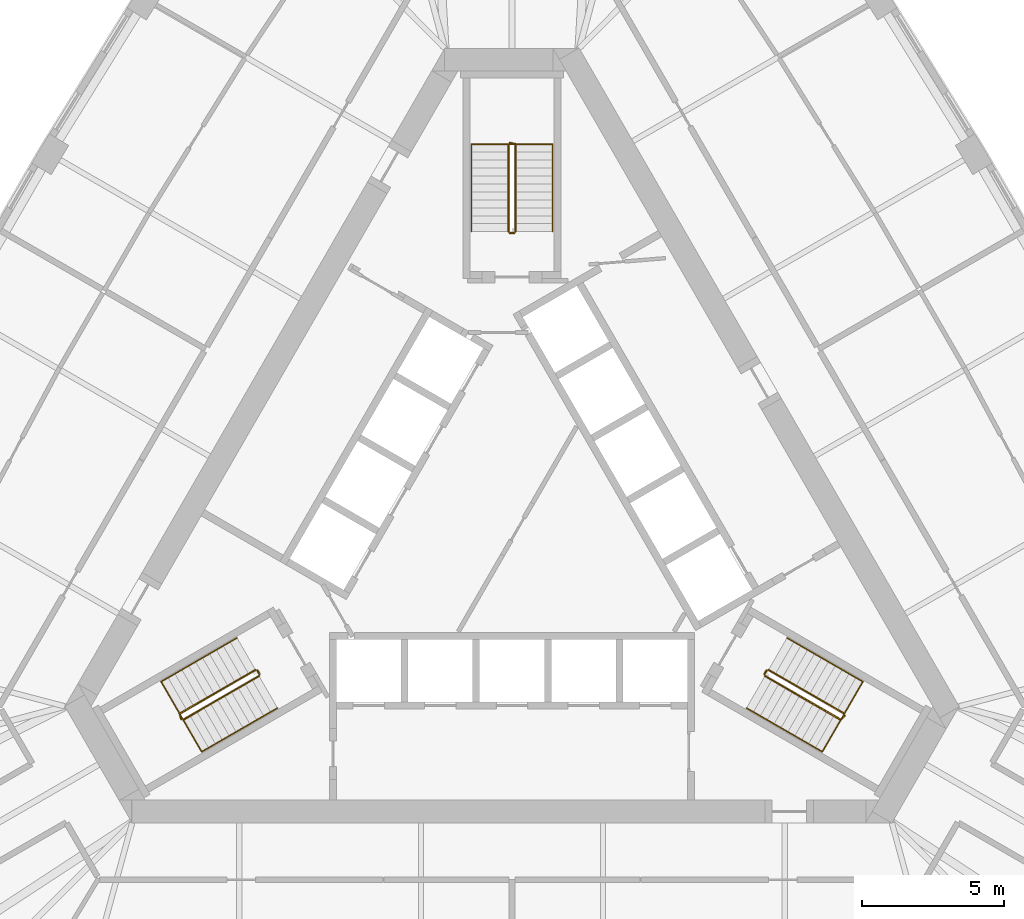
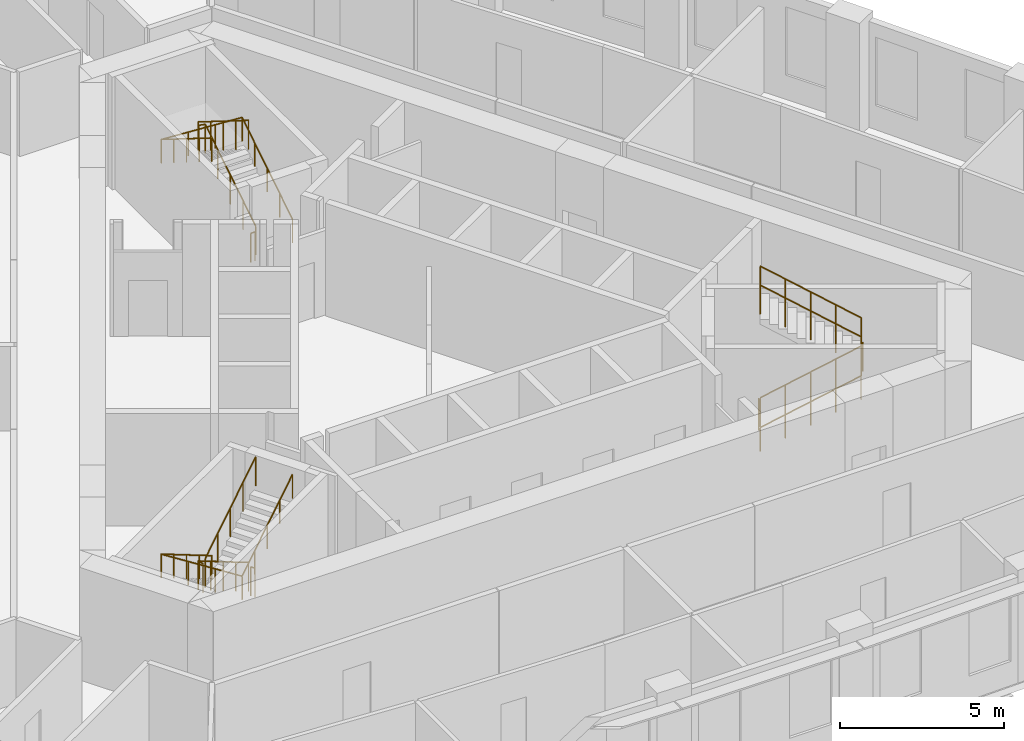
# One storey, part 10 of 10: 12 railings.
"""IFC4 building model written with IfcOpenShell, lengths in metres."""

import ifcopenshell
import ifcopenshell.guid

model = None  # the IFC model being written
_history = None  # IfcOwnerHistory: only IFC2X3 demands one
_inside = {}  # id of a spatial element -> (the spatial element, [elements in it])
_under = {}  # id of a project, library or spatial element -> (it, [spatial elements below it])
_declared = {}  # id of a project -> (the project, [libraries it declares])
_typed = {}  # id of a type object -> (the type object, [elements of that type])
_made_of = {}  # id of a material, layer set ... -> (it, [elements and type objects made of it])


def new_model(schema):
    """Start an empty IFC model of exactly this schema.

    Asked for "IFC4X3", IfcOpenShell would pick the latest addendum, in which some entities
    have other attributes; the version numbers below select the first issue.
    IFC2X3 requires an IfcOwnerHistory on every rooted entity: one is made here for all.
    """
    global model, _history
    if schema == "IFC4X3":
        model = ifcopenshell.file(schema_version=(4, 3, 0, 0))
    else:
        model = ifcopenshell.file(schema=schema)
    _inside.clear()
    _under.clear()
    _declared.clear()
    _typed.clear()
    _made_of.clear()
    _history = None
    if model.schema == "IFC2X3":
        org = make("IfcOrganization", Name="unknown")
        user = make(
            "IfcPersonAndOrganization",
            ThePerson=make("IfcPerson", FamilyName="unknown"),
            TheOrganization=org,
        )
        app = make(
            "IfcApplication",
            ApplicationDeveloper=org,
            Version="unknown",
            ApplicationFullName="unknown",
            ApplicationIdentifier="unknown",
        )
        _history = make(
            "IfcOwnerHistory",
            OwningUser=user,
            OwningApplication=app,
            ChangeAction="ADDED",
            CreationDate=0,
        )
    return model


def make(cls, **values):
    """One entity of the class cls with the attributes given. An attribute that is None is left unset."""
    return model.create_entity(
        cls, **{name: value for name, value in values.items() if value is not None}
    )


def rooted(cls, **values):
    """An entity with a GlobalId (a new one), such as an element, a storey or a relation."""
    return make(cls, GlobalId=ifcopenshell.guid.new(), OwnerHistory=_history, **values)


def si_unit(unit_type, name, prefix=None):
    """IfcSIUnit, for example si_unit("LENGTHUNIT", "METRE", prefix="MILLI")."""
    return make("IfcSIUnit", UnitType=unit_type, Prefix=prefix, Name=name)


def assignment(units):
    """IfcUnitAssignment: the units of a project."""
    return None if units is None else make("IfcUnitAssignment", Units=units)


def point(xyz):
    """IfcCartesianPoint."""
    return None if xyz is None else make("IfcCartesianPoint", Coordinates=xyz)


def direction(xyz):
    """IfcDirection."""
    return None if xyz is None else make("IfcDirection", DirectionRatios=xyz)


def frame(location, z_axis=None, x_axis=None):
    """IfcAxis2Placement3D, a coordinate frame: its origin and axes. An axis left out is left unset."""
    return make(
        "IfcAxis2Placement3D",
        Location=point(location),
        Axis=direction(z_axis),
        RefDirection=direction(x_axis),
    )


def frame_2d(location, x_axis=None):
    """IfcAxis2Placement2D, a coordinate frame in the plane: its origin and x axis."""
    return make(
        "IfcAxis2Placement2D", Location=point(location), RefDirection=direction(x_axis)
    )


def origin():
    """The frame at (0, 0, 0) with its axes left unset."""
    return frame((0.0, 0.0, 0.0))


def origin_2d():
    """The frame at (0, 0) in the plane with its x axis left unset."""
    return frame_2d((0.0, 0.0))


def place(relative_to, where):
    """IfcLocalPlacement: puts the frame where relative to a parent placement (None: the world)."""
    return make(
        "IfcLocalPlacement", PlacementRelTo=relative_to, RelativePlacement=where
    )


def context(
    kind, dimensions, precision=None, world=None, true_north=None, identifier=None
):
    """IfcGeometricRepresentationContext, for example the 3D "Model" context."""
    return make(
        "IfcGeometricRepresentationContext",
        ContextIdentifier=identifier,
        ContextType=kind,
        CoordinateSpaceDimension=dimensions,
        Precision=precision,
        WorldCoordinateSystem=world,
        TrueNorth=true_north,
    )


def subcontext(parent, identifier, kind, view, scale=None):
    """IfcGeometricRepresentationSubContext, for example "Body" below "Model"."""
    return make(
        "IfcGeometricRepresentationSubContext",
        ContextIdentifier=identifier,
        ContextType=kind,
        ParentContext=parent,
        TargetScale=scale,
        TargetView=view,
    )


def project(units=None, contexts=None):
    """IfcProject with its units and contexts."""
    return rooted(
        "IfcProject",
        Name="project",
        RepresentationContexts=contexts,
        UnitsInContext=assignment(units),
    )


def spatial(cls, under=None, at=None, **own):
    """A site, building, storey or space (cls), placed at a placement, below another one or the project."""
    s = rooted(cls, ObjectPlacement=at, **own)
    if under is not None:
        _under.setdefault(under.id(), (under, []))[1].append(s)
    return s


def profile(cls, at=None, kind="AREA", **sizes):
    """A parametric profile (cls). Its sizes go by their IFC names, for example OverallWidth=200.0."""
    return make(cls, ProfileType=kind, Position=at, **sizes)


def circle(**sizes):
    """IfcCircleProfileDef."""
    return profile("IfcCircleProfileDef", **sizes)


def extrude(swept, where, along, depth):
    """IfcExtrudedAreaSolid: the profile swept, set in the frame where, extruded along a direction by depth."""
    return make(
        "IfcExtrudedAreaSolid",
        SweptArea=swept,
        Position=where,
        ExtrudedDirection=direction(along),
        Depth=depth,
    )


def shape(context_of_items, identifier, shape_type, items):
    """IfcShapeRepresentation: the items that make up one representation, for example the "Body"."""
    return make(
        "IfcShapeRepresentation",
        ContextOfItems=context_of_items,
        RepresentationIdentifier=identifier,
        RepresentationType=shape_type,
        Items=items,
    )


def material(Name=None, Category=None):
    """IfcMaterial."""
    return make("IfcMaterial", Name=Name, Category=Category)


def made_of(thing, what):
    """Note that an element or type object is made of a material, layer set ...; save() writes the relation."""
    if what is not None:
        _made_of.setdefault(what.id(), (what, []))[1].append(thing)
    return thing


def type_object(cls, material=None, **own):
    """A type object (cls), such as IfcWallType, which elements share."""
    return made_of(rooted(cls, **own), material)


def element(
    cls,
    number,
    at=None,
    inside=None,
    cuts=None,
    type_object=None,
    material=None,
    context=None,
    identifier="Body",
    shape_type=None,
    held_by="IfcProductDefinitionShape",
    body=None,
    shapes=None,
    **own,
):
    """One element of the class cls, such as IfcWall. Its Tag is "e" and its number.

    at: its placement. inside: the storey or other place that contains it. cuts: it is an
    opening in that element (IfcRelVoidsElement). A single representation is given by context,
    identifier, shape_type and body (its items); several are given by shapes. held_by: the class
    of the entity that holds the representations. save() writes the other relations.
    """
    e = rooted(cls, Tag="e%d" % number, ObjectPlacement=at, **own)
    if body is not None:
        shapes = [shape(context, identifier, shape_type, body)]
    if shapes is not None:
        e.Representation = make(held_by, Representations=shapes)
    if inside is not None:
        _inside.setdefault(inside.id(), (inside, []))[1].append(e)
    if cuts is not None:
        rooted(
            "IfcRelVoidsElement", RelatingBuildingElement=cuts, RelatedOpeningElement=e
        )
    if type_object is not None:
        _typed.setdefault(type_object.id(), (type_object, []))[1].append(e)
    return made_of(e, material)


def aggregate(whole, parts):
    """IfcRelAggregates: a whole, such as a stair, and the parts it consists of."""
    return rooted("IfcRelAggregates", RelatingObject=whole, RelatedObjects=parts)


def save(model, path):
    """Write the relations noted so far, then the file.

    IfcRelAggregates (storeys below a building ...), IfcRelContainedInSpatialStructure (elements
    in a storey), IfcRelDefinesByType, IfcRelAssociatesMaterial and IfcRelDeclares: one each for
    every whole, place, type object, material and project.
    """
    for whole, parts in _under.values():
        aggregate(whole, parts)
    for where, things in _inside.values():
        rooted(
            "IfcRelContainedInSpatialStructure",
            RelatedElements=things,
            RelatingStructure=where,
        )
    for kind, things in _typed.values():
        rooted("IfcRelDefinesByType", RelatedObjects=things, RelatingType=kind)
    for what, things in _made_of.values():
        rooted("IfcRelAssociatesMaterial", RelatedObjects=things, RelatingMaterial=what)
    for by, libraries in _declared.values():
        rooted("IfcRelDeclares", RelatingContext=by, RelatedDefinitions=libraries)
    model.write(path)


model = new_model("IFC4")

# Units and contexts
model_context = context("Model", 3, precision=1e-05, world=origin(), true_north=direction((0.0, 1.0)))
body_context = subcontext(model_context, "Body", "Model", "MODEL_VIEW")
ifc_project = project(units=[si_unit("LENGTHUNIT", "METRE"), si_unit("AREAUNIT", "SQUARE_METRE"), si_unit("VOLUMEUNIT", "CUBIC_METRE"), si_unit("PLANEANGLEUNIT", "RADIAN"), si_unit("MASSUNIT", "GRAM", prefix="KILO")], contexts=[model_context])

# Site, building, storey
site_placement = place(None, origin())
site = spatial("IfcSite", under=ifc_project, at=site_placement, CompositionType="ELEMENT")
building_placement = place(site_placement, origin())
building = spatial("IfcBuilding", under=site, at=building_placement, Name="Mestral Congress Tower", CompositionType="ELEMENT")
storey_placement = place(building_placement, frame((0.0, 0.0, 154.199951171875)))
storey = spatial("IfcBuildingStorey", under=building, at=storey_placement, Name="L36", CompositionType="ELEMENT", Elevation=154.199951171875)

# Railings
ifc_material_1 = material(Name="Steel balustrade", Category="steel")
railing_type_1 = type_object("IfcRailingType", Name="Stair guard 1100", PredefinedType="GUARDRAIL", material=ifc_material_1)
railing_1_placement = place(storey_placement, frame((8.90087890625, -5.283203125, 0.175048828125)))
element("IfcRailing", 1, at=railing_1_placement, inside=storey, type_object=railing_type_1, Name="L36 ST1 stair guard 1", PredefinedType="GUARDRAIL", context=body_context, shape_type="SweptSolid", body=[
    extrude(circle(Radius=0.02392578125, at=origin_2d()), frame((0.0, 0.0, 1.076171875), z_axis=(0.734364028329, -0.424015404183, 0.530019255228), x_axis=(0.500026652407, 0.866010015463, 0.0)), (0.0, 0.0, 1.0), 3.632080078125),
    extrude(circle(Radius=0.02392578125, at=origin_2d()), frame((2.667236328125, -1.5400390625, 3.0009765625), z_axis=(0.695164929852, 0.718850276695, 0.0), x_axis=(-0.718850276695, 0.695164929852, 0.0)), (0.0, 0.0, 1.0), 0.2060546875),
    extrude(circle(Radius=0.02099609375, at=origin_2d()), origin(), (0.0, 0.0, 1.0), 1.052001953125),
    extrude(circle(Radius=0.02099609375, at=origin_2d()), frame((0.666748046875, -0.385009765625, 0.481201171875)), (0.0, 0.0, 1.0), 1.052001953125),
    extrude(circle(Radius=0.02099609375, at=origin_2d()), frame((1.33349609375, -0.77001953125, 0.96240234375)), (0.0, 0.0, 1.0), 1.052001953125),
    extrude(circle(Radius=0.02099609375, at=origin_2d()), frame((2.00048828125, -1.155029296875, 1.44384765625)), (0.0, 0.0, 1.0), 1.052001953125),
    extrude(circle(Radius=0.02099609375, at=origin_2d()), frame((2.667236328125, -1.5400390625, 1.925048828125)), (0.0, 0.0, 1.0), 1.052001953125),
    extrude(circle(Radius=0.02099609375, at=origin_2d()), frame((2.810546875, -1.391845703125, 1.925048828125)), (0.0, 0.0, 1.0), 1.052001953125),
])
railing_2_placement = place(storey_placement, frame((11.693115234375, -6.606689453125, 2.275146484375)))
element("IfcRailing", 2, at=railing_2_placement, inside=storey, type_object=railing_type_1, Name="L36 ST1 stair guard 2", PredefinedType="GUARDRAIL", context=body_context, shape_type="SweptSolid", body=[
    extrude(circle(Radius=0.02392578125, at=origin_2d()), frame((0.0, 0.0, 1.076171875), z_axis=(-0.734390191396, 0.42403051051, 0.529970917068), x_axis=(-0.500026652407, -0.866010015463, 0.0)), (0.0, 0.0, 1.0), 3.6318359375),
    extrude(circle(Radius=0.02099609375, at=origin_2d()), origin(), (0.0, 0.0, 1.0), 1.052001953125),
    extrude(circle(Radius=0.02099609375, at=origin_2d()), frame((-0.666748046875, 0.385009765625, 0.481201171875)), (0.0, 0.0, 1.0), 1.052001953125),
    extrude(circle(Radius=0.02099609375, at=origin_2d()), frame((-1.33349609375, 0.77001953125, 0.96240234375)), (0.0, 0.0, 1.0), 1.052001953125),
    extrude(circle(Radius=0.02099609375, at=origin_2d()), frame((-2.00048828125, 1.155029296875, 1.443603515625)), (0.0, 0.0, 1.0), 1.052001953125),
    extrude(circle(Radius=0.02099609375, at=origin_2d()), frame((-2.667236328125, 1.5400390625, 1.9248046875)), (0.0, 0.0, 1.0), 1.052001953125),
])
railing_3_placement = place(storey_placement, frame((8.882568359375, -5.21484375, 0.0)))
element("IfcRailing", 3, at=railing_3_placement, inside=storey, type_object=railing_type_1, Name="L36 ST1 stair guard 3", PredefinedType="GUARDRAIL", context=body_context, shape_type="SweptSolid", body=[
    extrude(circle(Radius=0.02392578125, at=origin_2d()), frame((0.0, 0.0, 1.076171875), z_axis=(0.499816412211, 0.866131372301, 0.0), x_axis=(-0.866131372301, 0.499816412211, 0.0)), (0.0, 0.0, 1.0), 0.14990234375),
    extrude(circle(Radius=0.02099609375, at=origin_2d()), origin(), (0.0, 0.0, 1.0), 1.052001953125),
    extrude(circle(Radius=0.02099609375, at=origin_2d()), frame((0.074951171875, 0.1298828125, 0.0)), (0.0, 0.0, 1.0), 1.052001953125),
])
railing_4_placement = place(storey_placement, frame((0.125, 10.35009765625, 0.175048828125)))
element("IfcRailing", 4, at=railing_4_placement, inside=storey, type_object=railing_type_1, Name="L36 ST2 stair guard 1", PredefinedType="GUARDRAIL", context=body_context, shape_type="SweptSolid", body=[
    extrude(circle(Radius=0.02392578125, at=origin_2d()), frame((0.0, 0.0, 1.076171875), z_axis=(0.0, 0.847979421464, 0.530029150871), x_axis=(-1.0, 0.0, 0.0)), (0.0, 0.0, 1.0), 3.632080078125),
    extrude(circle(Radius=0.02392578125, at=origin_2d()), frame((0.0, 3.079833984375, 3.0009765625), z_axis=(-0.970072785993, 0.242814311512, 0.0), x_axis=(-0.242814311512, -0.970072785993, 0.0)), (0.0, 0.0, 1.0), 0.2060546875),
    extrude(circle(Radius=0.02099609375, at=origin_2d()), origin(), (0.0, 0.0, 1.0), 1.052001953125),
    extrude(circle(Radius=0.02099609375, at=origin_2d()), frame((0.0, 0.77001953125, 0.481201171875)), (0.0, 0.0, 1.0), 1.052001953125),
    extrude(circle(Radius=0.02099609375, at=origin_2d()), frame((0.0, 1.5400390625, 0.96240234375)), (0.0, 0.0, 1.0), 1.052001953125),
    extrude(circle(Radius=0.02099609375, at=origin_2d()), frame((0.0, 2.309814453125, 1.44384765625)), (0.0, 0.0, 1.0), 1.052001953125),
    extrude(circle(Radius=0.02099609375, at=origin_2d()), frame((0.0, 3.079833984375, 1.925048828125)), (0.0, 0.0, 1.0), 1.052001953125),
    extrude(circle(Radius=0.02099609375, at=origin_2d()), frame((-0.199951171875, 3.1298828125, 1.925048828125)), (0.0, 0.0, 1.0), 1.052001953125),
])
railing_5_placement = place(storey_placement, frame((-0.125, 13.429931640625, 2.275146484375)))
element("IfcRailing", 5, at=railing_5_placement, inside=storey, type_object=railing_type_1, Name="L36 ST2 stair guard 2", PredefinedType="GUARDRAIL", context=body_context, shape_type="SweptSolid", body=[
    extrude(circle(Radius=0.02392578125, at=origin_2d()), frame((0.0, 0.0, 1.076171875), z_axis=(0.0, -0.848009633417, 0.529980812513), x_axis=(1.0, 0.0, 0.0)), (0.0, 0.0, 1.0), 3.6318359375),
    extrude(circle(Radius=0.02099609375, at=origin_2d()), origin(), (0.0, 0.0, 1.0), 1.052001953125),
    extrude(circle(Radius=0.02099609375, at=origin_2d()), frame((0.0, -0.77001953125, 0.481201171875)), (0.0, 0.0, 1.0), 1.052001953125),
    extrude(circle(Radius=0.02099609375, at=origin_2d()), frame((0.0, -1.5400390625, 0.96240234375)), (0.0, 0.0, 1.0), 1.052001953125),
    extrude(circle(Radius=0.02099609375, at=origin_2d()), frame((0.0, -2.309814453125, 1.443603515625)), (0.0, 0.0, 1.0), 1.052001953125),
    extrude(circle(Radius=0.02099609375, at=origin_2d()), frame((0.0, -3.079833984375, 1.9248046875)), (0.0, 0.0, 1.0), 1.052001953125),
])
railing_6_placement = place(storey_placement, frame((0.074951171875, 10.300048828125, 0.0)))
element("IfcRailing", 6, at=railing_6_placement, inside=storey, type_object=railing_type_1, Name="L36 ST2 stair guard 3", PredefinedType="GUARDRAIL", context=body_context, shape_type="SweptSolid", body=[
    extrude(circle(Radius=0.02392578125, at=origin_2d()), frame((0.0, 0.0, 1.076171875), z_axis=(-1.0, 0.0, 0.0), x_axis=(0.0, -1.0, 0.0)), (0.0, 0.0, 1.0), 0.14990234375),
    extrude(circle(Radius=0.02099609375, at=origin_2d()), origin(), (0.0, 0.0, 1.0), 1.052001953125),
    extrude(circle(Radius=0.02099609375, at=origin_2d()), frame((-0.14990234375, 0.0, 0.0)), (0.0, 0.0, 1.0), 1.052001953125),
])
railing_7_placement = place(storey_placement, frame((-9.02587890625, -5.066650390625, 0.175048828125)))
element("IfcRailing", 7, at=railing_7_placement, inside=storey, type_object=railing_type_1, Name="L36 ST3 stair guard 1", PredefinedType="GUARDRAIL", context=body_context, shape_type="SweptSolid", body=[
    extrude(circle(Radius=0.02392578125, at=origin_2d()), frame((0.0, 0.0, 1.076171875), z_axis=(-0.734364028329, -0.424015404183, 0.530019255228), x_axis=(0.500026652407, -0.866010015463, 0.0)), (0.0, 0.0, 1.0), 3.632080078125),
    extrude(circle(Radius=0.02392578125, at=origin_2d()), frame((-2.667236328125, -1.5400390625, 3.0009765625), z_axis=(0.274721127897, -0.961523947641, 0.0), x_axis=(0.961523947641, 0.274721127897, 0.0)), (0.0, 0.0, 1.0), 0.2060546875),
    extrude(circle(Radius=0.02099609375, at=origin_2d()), origin(), (0.0, 0.0, 1.0), 1.052001953125),
    extrude(circle(Radius=0.02099609375, at=origin_2d()), frame((-0.666748046875, -0.385009765625, 0.481201171875)), (0.0, 0.0, 1.0), 1.052001953125),
    extrude(circle(Radius=0.02099609375, at=origin_2d()), frame((-1.33349609375, -0.77001953125, 0.96240234375)), (0.0, 0.0, 1.0), 1.052001953125),
    extrude(circle(Radius=0.02099609375, at=origin_2d()), frame((-2.00048828125, -1.155029296875, 1.44384765625)), (0.0, 0.0, 1.0), 1.052001953125),
    extrude(circle(Radius=0.02099609375, at=origin_2d()), frame((-2.667236328125, -1.5400390625, 1.925048828125)), (0.0, 0.0, 1.0), 1.052001953125),
    extrude(circle(Radius=0.02099609375, at=origin_2d()), frame((-2.610595703125, -1.73828125, 1.925048828125)), (0.0, 0.0, 1.0), 1.052001953125),
])
railing_8_placement = place(storey_placement, frame((-11.568115234375, -6.8232421875, 2.275146484375)))
element("IfcRailing", 8, at=railing_8_placement, inside=storey, type_object=railing_type_1, Name="L36 ST3 stair guard 2", PredefinedType="GUARDRAIL", context=body_context, shape_type="SweptSolid", body=[
    extrude(circle(Radius=0.02392578125, at=origin_2d()), frame((0.0, 0.0, 1.076171875), z_axis=(0.734390191396, 0.42403051051, 0.529970917068), x_axis=(-0.500026652407, 0.866010015463, 0.0)), (0.0, 0.0, 1.0), 3.6318359375),
    extrude(circle(Radius=0.02099609375, at=origin_2d()), origin(), (0.0, 0.0, 1.0), 1.052001953125),
    extrude(circle(Radius=0.02099609375, at=origin_2d()), frame((0.666748046875, 0.385009765625, 0.481201171875)), (0.0, 0.0, 1.0), 1.052001953125),
    extrude(circle(Radius=0.02099609375, at=origin_2d()), frame((1.33349609375, 0.77001953125, 0.96240234375)), (0.0, 0.0, 1.0), 1.052001953125),
    extrude(circle(Radius=0.02099609375, at=origin_2d()), frame((2.00048828125, 1.155029296875, 1.443603515625)), (0.0, 0.0, 1.0), 1.052001953125),
    extrude(circle(Radius=0.02099609375, at=origin_2d()), frame((2.667236328125, 1.5400390625, 1.9248046875)), (0.0, 0.0, 1.0), 1.052001953125),
])
railing_9_placement = place(storey_placement, frame((-8.95751953125, -5.0849609375, 0.0)))
element("IfcRailing", 9, at=railing_9_placement, inside=storey, type_object=railing_type_1, Name="L36 ST3 stair guard 3", PredefinedType="GUARDRAIL", context=body_context, shape_type="SweptSolid", body=[
    extrude(circle(Radius=0.02392578125, at=origin_2d()), frame((0.0, 0.0, 1.076171875), z_axis=(0.499816412211, -0.866131372301, 0.0), x_axis=(0.866131372301, 0.499816412211, 0.0)), (0.0, 0.0, 1.0), 0.14990234375),
    extrude(circle(Radius=0.02099609375, at=origin_2d()), origin(), (0.0, 0.0, 1.0), 1.052001953125),
    extrude(circle(Radius=0.02099609375, at=origin_2d()), frame((0.074951171875, -0.1298828125, 0.0)), (0.0, 0.0, 1.0), 1.052001953125),
])
ifc_material_2 = material(Name="Steel handrail", Category="steel")
railing_type_2 = type_object("IfcRailingType", Name="Stair handrail 900", PredefinedType="HANDRAIL", material=ifc_material_2)
railing_10_placement = place(storey_placement, frame((8.2509765625, -6.4091796875, 0.175048828125)))
element("IfcRailing", 10, at=railing_10_placement, inside=storey, type_object=railing_type_2, Name="L36 ST1 stair handrail 1", PredefinedType="HANDRAIL", context=body_context, shape_type="SweptSolid", body=[
    extrude(circle(Radius=0.02392578125, at=origin_2d()), frame((0.0, 0.0, 0.8759765625), z_axis=(0.734384958227, -0.423960268333, 0.530034361155), x_axis=(0.499967199496, 0.866044340336, 0.0)), (0.0, 0.0, 1.0), 3.6318359375),
    extrude(circle(Radius=0.02392578125, at=origin_2d()), frame((2.667236328125, -1.539794921875, 2.80078125), z_axis=(0.499095769026, 0.864375386171, 0.061307463833), x_axis=(-0.866004402611, 0.500036373335, 0.0)), (0.0, 0.0, 1.0), 2.855224609375),
    extrude(circle(Radius=0.02392578125, at=origin_2d()), frame((4.09228515625, 0.92822265625, 2.97607421875), z_axis=(-0.734421155904, 0.424009578203, 0.529944755001), x_axis=(-0.499992328818, -0.866029832698, 0.0)), (0.0, 0.0, 1.0), 3.632080078125),
    extrude(circle(Radius=0.02099609375, at=origin_2d()), origin(), (0.0, 0.0, 1.0), 0.851806640625),
    extrude(circle(Radius=0.02099609375, at=origin_2d()), frame((0.666748046875, -0.385009765625, 0.481201171875)), (0.0, 0.0, 1.0), 0.851806640625),
    extrude(circle(Radius=0.02099609375, at=origin_2d()), frame((1.33349609375, -0.77001953125, 0.96240234375)), (0.0, 0.0, 1.0), 0.851806640625),
    extrude(circle(Radius=0.02099609375, at=origin_2d()), frame((2.00048828125, -1.15478515625, 1.44384765625)), (0.0, 0.0, 1.0), 0.851806640625),
    extrude(circle(Radius=0.02099609375, at=origin_2d()), frame((2.667236328125, -1.539794921875, 1.925048828125)), (0.0, 0.0, 1.0), 0.851806640625),
    extrude(circle(Radius=0.02099609375, at=origin_2d()), frame((3.142333984375, -0.717041015625, 1.9833984375)), (0.0, 0.0, 1.0), 0.851806640625),
    extrude(circle(Radius=0.02099609375, at=origin_2d()), frame((3.6171875, 0.10546875, 2.041748046875)), (0.0, 0.0, 1.0), 0.851806640625),
    extrude(circle(Radius=0.02099609375, at=origin_2d()), frame((4.09228515625, 0.92822265625, 2.10009765625)), (0.0, 0.0, 1.0), 0.851806640625),
    extrude(circle(Radius=0.02099609375, at=origin_2d()), frame((3.42529296875, 1.313232421875, 2.581298828125)), (0.0, 0.0, 1.0), 0.851806640625),
    extrude(circle(Radius=0.02099609375, at=origin_2d()), frame((2.758544921875, 1.6982421875, 3.0625)), (0.0, 0.0, 1.0), 0.851806640625),
    extrude(circle(Radius=0.02099609375, at=origin_2d()), frame((2.091796875, 2.083251953125, 3.543701171875)), (0.0, 0.0, 1.0), 0.851806640625),
    extrude(circle(Radius=0.02099609375, at=origin_2d()), frame((1.4248046875, 2.46826171875, 4.02490234375)), (0.0, 0.0, 1.0), 0.851806640625),
])
railing_11_placement = place(storey_placement, frame((1.425048828125, 10.35009765625, 0.175048828125)))
element("IfcRailing", 11, at=railing_11_placement, inside=storey, type_object=railing_type_2, Name="L36 ST2 stair handrail 1", PredefinedType="HANDRAIL", context=body_context, shape_type="SweptSolid", body=[
    extrude(circle(Radius=0.02392578125, at=origin_2d()), frame((0.0, 0.0, 0.8759765625), z_axis=(0.0, 0.847979421464, 0.530029150871), x_axis=(-1.0, 0.0, 0.0)), (0.0, 0.0, 1.0), 3.632080078125),
    extrude(circle(Radius=0.02392578125, at=origin_2d()), frame((0.0, 3.079833984375, 2.80078125), z_axis=(-0.998119201106, 0.0, 0.061303021003), x_axis=(0.0, -1.0, 0.0)), (0.0, 0.0, 1.0), 2.85546875),
    extrude(circle(Radius=0.02392578125, at=origin_2d()), frame((-2.85009765625, 3.079833984375, 2.97607421875), z_axis=(0.0, -0.848009633417, 0.529980812513), x_axis=(1.0, 0.0, 0.0)), (0.0, 0.0, 1.0), 3.6318359375),
    extrude(circle(Radius=0.02099609375, at=origin_2d()), origin(), (0.0, 0.0, 1.0), 0.851806640625),
    extrude(circle(Radius=0.02099609375, at=origin_2d()), frame((0.0, 0.77001953125, 0.481201171875)), (0.0, 0.0, 1.0), 0.851806640625),
    extrude(circle(Radius=0.02099609375, at=origin_2d()), frame((0.0, 1.5400390625, 0.96240234375)), (0.0, 0.0, 1.0), 0.851806640625),
    extrude(circle(Radius=0.02099609375, at=origin_2d()), frame((0.0, 2.309814453125, 1.44384765625)), (0.0, 0.0, 1.0), 0.851806640625),
    extrude(circle(Radius=0.02099609375, at=origin_2d()), frame((0.0, 3.079833984375, 1.925048828125)), (0.0, 0.0, 1.0), 0.851806640625),
    extrude(circle(Radius=0.02099609375, at=origin_2d()), frame((-0.949951171875, 3.079833984375, 1.9833984375)), (0.0, 0.0, 1.0), 0.851806640625),
    extrude(circle(Radius=0.02099609375, at=origin_2d()), frame((-1.900146484375, 3.079833984375, 2.041748046875)), (0.0, 0.0, 1.0), 0.851806640625),
    extrude(circle(Radius=0.02099609375, at=origin_2d()), frame((-2.85009765625, 3.079833984375, 2.10009765625)), (0.0, 0.0, 1.0), 0.851806640625),
    extrude(circle(Radius=0.02099609375, at=origin_2d()), frame((-2.85009765625, 2.309814453125, 2.581298828125)), (0.0, 0.0, 1.0), 0.851806640625),
    extrude(circle(Radius=0.02099609375, at=origin_2d()), frame((-2.85009765625, 1.5400390625, 3.0625)), (0.0, 0.0, 1.0), 0.851806640625),
    extrude(circle(Radius=0.02099609375, at=origin_2d()), frame((-2.85009765625, 0.77001953125, 3.543701171875)), (0.0, 0.0, 1.0), 0.851806640625),
    extrude(circle(Radius=0.02099609375, at=origin_2d()), frame((-2.85009765625, 0.0, 4.02490234375)), (0.0, 0.0, 1.0), 0.851806640625),
])
railing_12_placement = place(storey_placement, frame((-9.67578125, -3.94091796875, 0.175048828125)))
element("IfcRailing", 12, at=railing_12_placement, inside=storey, type_object=railing_type_2, Name="L36 ST3 stair handrail 1", PredefinedType="HANDRAIL", context=body_context, shape_type="SweptSolid", body=[
    extrude(circle(Radius=0.02392578125, at=origin_2d()), frame((0.0, 0.0, 0.8759765625), z_axis=(-0.734394994316, -0.423994474112, 0.52999309264), x_axis=(0.499992328818, -0.866029832698, 0.0)), (0.0, 0.0, 1.0), 3.63232421875),
    extrude(circle(Radius=0.02392578125, at=origin_2d()), frame((-2.66748046875, -1.5400390625, 2.80078125), z_axis=(0.499095769026, -0.864375386171, 0.061307463833), x_axis=(0.866004402611, 0.500036373335, 0.0)), (0.0, 0.0, 1.0), 2.855224609375),
    extrude(circle(Radius=0.02392578125, at=origin_2d()), frame((-1.242431640625, -4.008056640625, 2.97607421875), z_axis=(0.734411123532, 0.423975373557, 0.529986022693), x_axis=(-0.499967199496, 0.866044340336, 0.0)), (0.0, 0.0, 1.0), 3.6318359375),
    extrude(circle(Radius=0.02099609375, at=origin_2d()), origin(), (0.0, 0.0, 1.0), 0.851806640625),
    extrude(circle(Radius=0.02099609375, at=origin_2d()), frame((-0.6669921875, -0.385009765625, 0.481201171875)), (0.0, 0.0, 1.0), 0.851806640625),
    extrude(circle(Radius=0.02099609375, at=origin_2d()), frame((-1.333740234375, -0.77001953125, 0.96240234375)), (0.0, 0.0, 1.0), 0.851806640625),
    extrude(circle(Radius=0.02099609375, at=origin_2d()), frame((-2.00048828125, -1.155029296875, 1.44384765625)), (0.0, 0.0, 1.0), 0.851806640625),
    extrude(circle(Radius=0.02099609375, at=origin_2d()), frame((-2.66748046875, -1.5400390625, 1.925048828125)), (0.0, 0.0, 1.0), 0.851806640625),
    extrude(circle(Radius=0.02099609375, at=origin_2d()), frame((-2.1923828125, -2.36279296875, 1.9833984375)), (0.0, 0.0, 1.0), 0.851806640625),
    extrude(circle(Radius=0.02099609375, at=origin_2d()), frame((-1.717529296875, -3.185302734375, 2.041748046875)), (0.0, 0.0, 1.0), 0.851806640625),
    extrude(circle(Radius=0.02099609375, at=origin_2d()), frame((-1.242431640625, -4.008056640625, 2.10009765625)), (0.0, 0.0, 1.0), 0.851806640625),
    extrude(circle(Radius=0.02099609375, at=origin_2d()), frame((-0.57568359375, -3.623046875, 2.581298828125)), (0.0, 0.0, 1.0), 0.851806640625),
    extrude(circle(Radius=0.02099609375, at=origin_2d()), frame((0.09130859375, -3.23828125, 3.0625)), (0.0, 0.0, 1.0), 0.851806640625),
    extrude(circle(Radius=0.02099609375, at=origin_2d()), frame((0.758056640625, -2.853271484375, 3.543701171875)), (0.0, 0.0, 1.0), 0.851806640625),
    extrude(circle(Radius=0.02099609375, at=origin_2d()), frame((1.4248046875, -2.46826171875, 4.02490234375)), (0.0, 0.0, 1.0), 0.851806640625),
])

save(model, "model.ifc")
